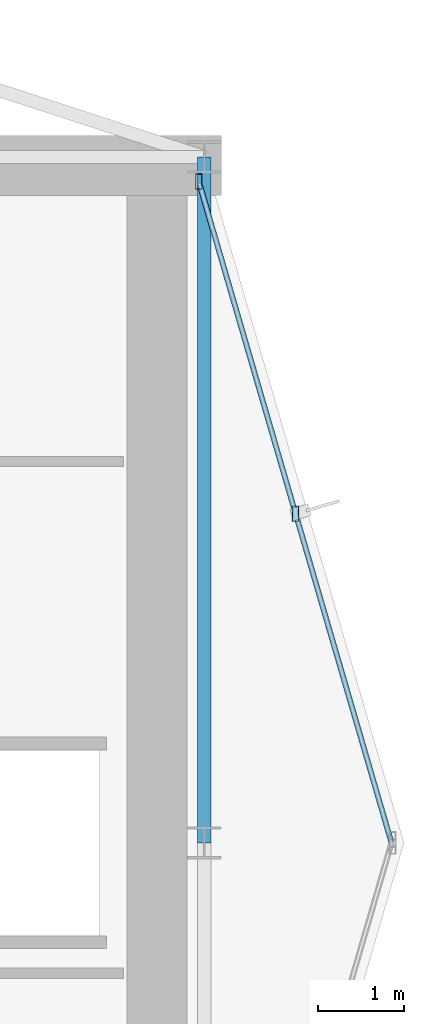
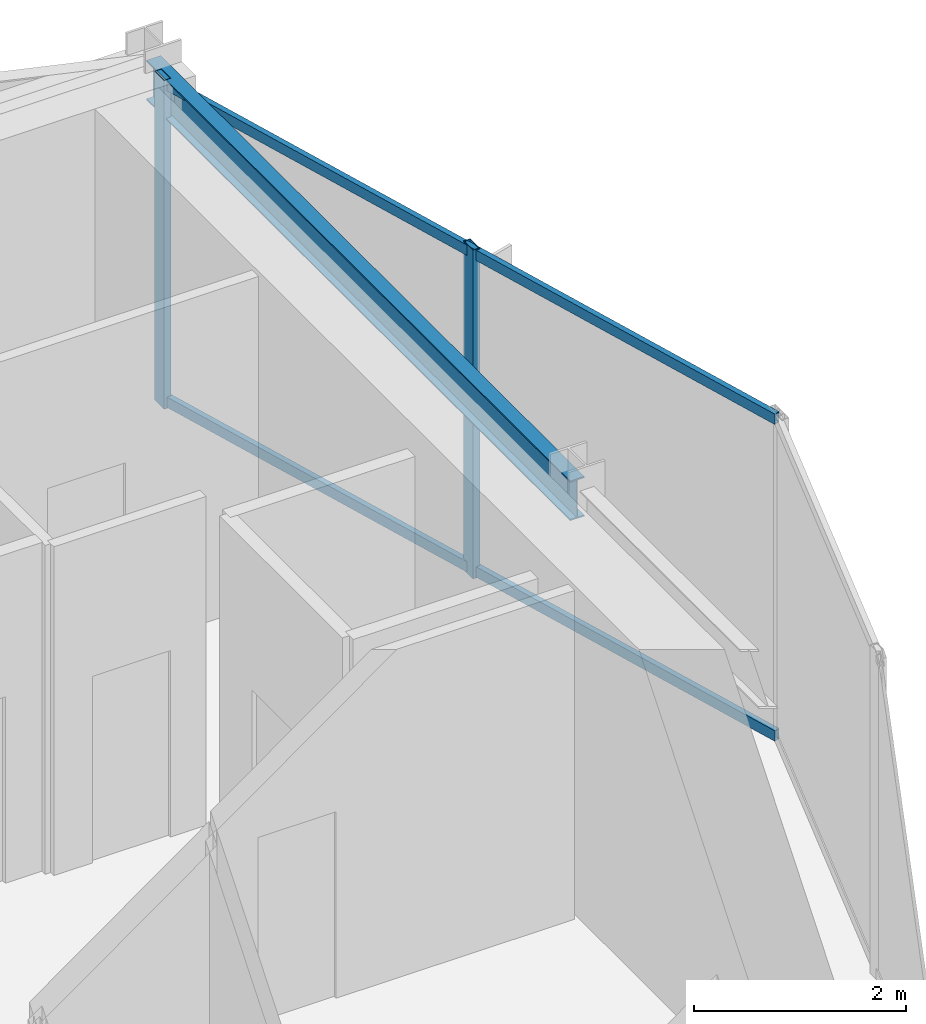
# One storey, part 15 of 21: 4 members, 1 beam, 1 element without a shape of its own.
"""IFC4 building model written with IfcOpenShell, lengths in metres."""

from ifc_helpers import new_model, si_unit, direction, frame, origin, origin_2d, place, context, subcontext, project, spatial, hollow_rectangle, i_section, extrude, material, layer, layer_set, material_profile, profile_set, type_object, element, aggregate, save


model = new_model("IFC4")

# Units and contexts
model_context = context("Model", 3, precision=1e-05, world=origin(), true_north=direction((0.0, 1.0)))
body_context = subcontext(model_context, "Body", "Model", "MODEL_VIEW")
ifc_project = project(units=[si_unit("LENGTHUNIT", "METRE"), si_unit("AREAUNIT", "SQUARE_METRE"), si_unit("VOLUMEUNIT", "CUBIC_METRE"), si_unit("PLANEANGLEUNIT", "RADIAN"), si_unit("MASSUNIT", "GRAM", prefix="KILO")], contexts=[model_context])

# Site, building, storey
site_placement = place(None, origin())
site = spatial("IfcSite", under=ifc_project, at=site_placement, CompositionType="ELEMENT")
building_placement = place(site_placement, origin())
building = spatial("IfcBuilding", under=site, at=building_placement, Name="Veymaron Broadcast Tower", CompositionType="ELEMENT")
storey_placement = place(building_placement, frame((0.0, 0.0, 232.35009765625)))
storey = spatial("IfcBuildingStorey", under=building, at=storey_placement, Name="L54", CompositionType="ELEMENT", Elevation=232.35009765625)

# Beam
ifc_material_1 = material(Name="Structural steel ASTM A992 Gr 50", Category="steel")
ifc_material_profile_1 = material_profile(ifc_material_1, i_section(OverallWidth=0.154052734375, OverallDepth=0.458984375, WebThickness=0.009033203125, FlangeThickness=0.015380859375, at=origin_2d()), Name="W460X68")
ifc_profile_set_1 = profile_set([ifc_material_profile_1], Name="Structural steel ASTM A992 Gr 50")
beam_type = type_object("IfcBeamType", Name="BM-SP2", PredefinedType="SPANDREL", material=ifc_profile_set_1)
beam_placement = place(storey_placement, frame((54.60009765625, 24.0, 3.560302734375), z_axis=(0.0, 1.0, 0.0), x_axis=(-1.0, 0.0, 0.0)))
element("IfcBeam", 1, at=beam_placement, inside=storey, type_object=beam_type, Name="L54 primary structural floor girder", PredefinedType="SPANDREL", context=body_context, shape_type="SweptSolid", body=[
    extrude(i_section(OverallWidth=0.154052734375, OverallDepth=0.458984375, WebThickness=0.009033203125, FlangeThickness=0.015380859375, at=origin_2d()), origin(), (0.0, 0.0, 1.0), 8.0),
])

# Curtain wall, members
ifc_material_2 = material(Name="Anodised aluminium AA 6063-T6 and laminated low-E dark glass", Category="aluminium")
ifc_layer = layer(ifc_material_2, 0.179931640625)
ifc_layer_set = layer_set([ifc_layer], Name="Anodised aluminium AA 6063-T6 and laminated low-E dark glass")
curtain_wall_type = type_object("IfcCurtainWallType", Name="CW-SYS-05", PredefinedType="NOTDEFINED", material=ifc_layer_set)
curtain_wall_placement = place(storey_placement, origin())
curtain_wall = element("IfcCurtainWall", 2, at=curtain_wall_placement, inside=storey, type_object=curtain_wall_type, Name="L54 dark-glass curtain wall CW-L54-E3-1", PredefinedType="NOTDEFINED")
ifc_material_3 = material(Name="Anodised aluminium AA 6063-T6", Category="aluminium")
ifc_material_profile_2 = material_profile(ifc_material_3, hollow_rectangle(XDim=0.074951171875, YDim=0.179931640625, WallThickness=0.0048828125, at=origin_2d()), Name="AL180X75X5")
ifc_profile_set_2 = profile_set([ifc_material_profile_2], Name="Anodised aluminium AA 6063-T6")
member_type_1 = type_object("IfcMemberType", Name="CW-MUL-02", PredefinedType="MULLION", material=ifc_profile_set_2)
member_1_placement = place(storey_placement, frame((55.66650390625, 27.83935546875, 0.0), z_axis=(0.0, 0.0, 1.0), x_axis=(1.0, 0.0, 0.0)))
member_1 = element("IfcMember", 3, at=member_1_placement, type_object=member_type_1, Name="CW-L54-E3-1 mullion 1", PredefinedType="MULLION", context=body_context, shape_type="SweptSolid", body=[
    extrude(hollow_rectangle(XDim=0.074951171875, YDim=0.179931640625, WallThickness=0.0048828125, at=origin_2d()), origin(), (0.0, 0.0, 1.0), 3.789794921875),
])
member_2_placement = place(storey_placement, frame((54.536376953125, 31.7177734375, 0.0), z_axis=(0.0, 0.0, 1.0), x_axis=(1.0, 0.0, 0.0)))
member_2 = element("IfcMember", 4, at=member_2_placement, type_object=member_type_1, Name="CW-L54-E3-1 mullion 2", PredefinedType="MULLION", context=body_context, shape_type="SweptSolid", body=[
    extrude(hollow_rectangle(XDim=0.074951171875, YDim=0.179931640625, WallThickness=0.0048828125, at=origin_2d()), origin(), (0.0, 0.0, 1.0), 3.789794921875),
])
ifc_material_profile_3 = material_profile(ifc_material_3, hollow_rectangle(XDim=0.06005859375, YDim=0.1201171875, WallThickness=0.00390625, at=origin_2d()), Name="AL120X60X4")
ifc_profile_set_3 = profile_set([ifc_material_profile_3], Name="Anodised aluminium AA 6063-T6")
member_type_2 = type_object("IfcMemberType", Name="CW-TRN-02", PredefinedType="USERDEFINED", material=ifc_profile_set_3)
member_3_placement = place(storey_placement, frame((56.78271484375, 24.0087890625, 0.06982421875), z_axis=(-0.279760322588, 0.960069873449, 0.0), x_axis=(-0.960069873449, -0.279760322588, 0.0)))
member_3 = element("IfcMember", 5, at=member_3_placement, type_object=member_type_2, Name="CW-L54-E3-1 transom B", ObjectType="TRANSOM", PredefinedType="USERDEFINED", context=body_context, shape_type="SweptSolid", body=[
    extrude(hollow_rectangle(XDim=0.06005859375, YDim=0.1201171875, WallThickness=0.00390625, at=origin_2d()), origin(), (0.0, 0.0, 1.0), 7.979736328125),
])
member_4_placement = place(storey_placement, frame((56.78271484375, 24.0087890625, 3.719970703125), z_axis=(-0.279760322588, 0.960069873449, 0.0), x_axis=(-0.960069873449, -0.279760322588, 0.0)))
member_4 = element("IfcMember", 6, at=member_4_placement, type_object=member_type_2, Name="CW-L54-E3-1 transom T", ObjectType="TRANSOM", PredefinedType="USERDEFINED", context=body_context, shape_type="SweptSolid", body=[
    extrude(hollow_rectangle(XDim=0.06005859375, YDim=0.1201171875, WallThickness=0.00390625, at=origin_2d()), origin(), (0.0, 0.0, 1.0), 7.979736328125),
])
aggregate(curtain_wall, [member_1, member_2, member_3, member_4])

save(model, "model.ifc")
